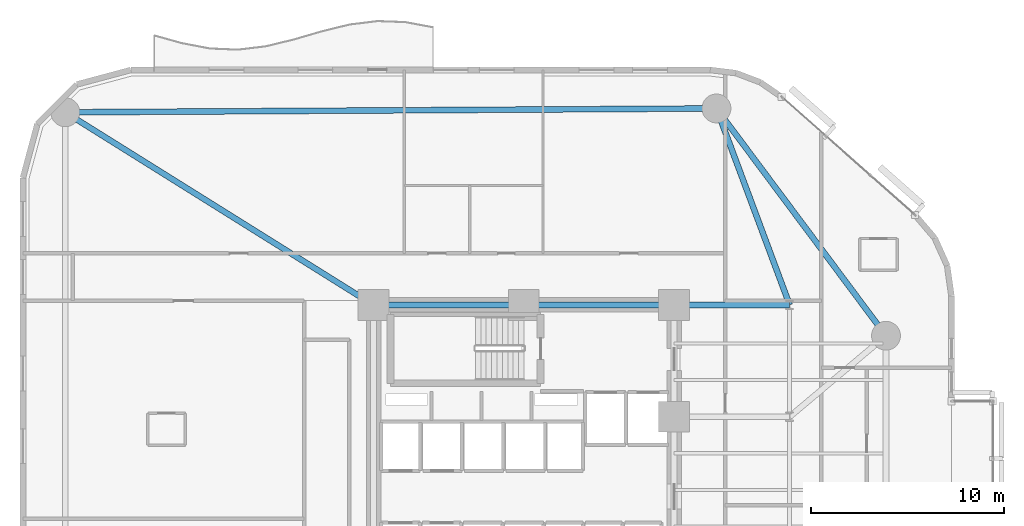
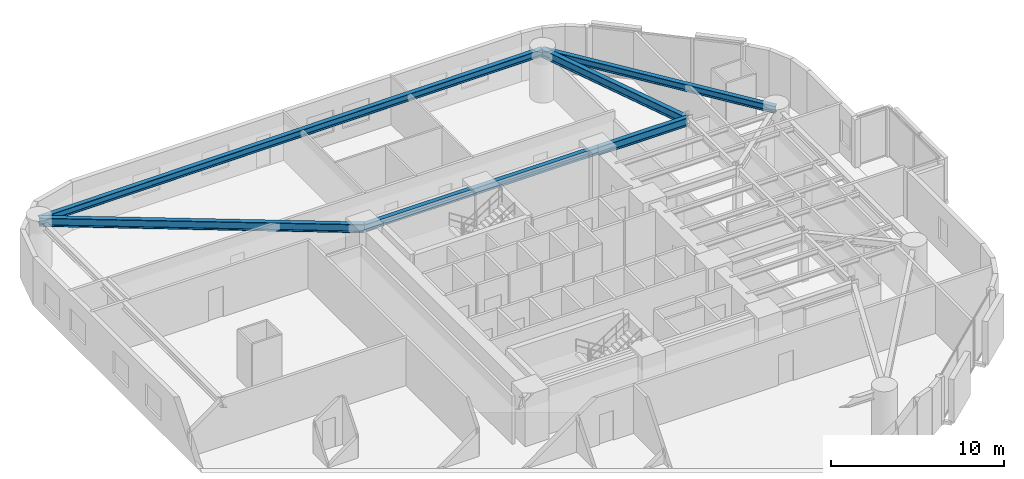
# One storey, part 7 of 16: 6 beams.
"""IFC4 building model written with IfcOpenShell, lengths in metres."""

from ifc_helpers import new_model, si_unit, direction, frame, origin, origin_2d, place, context, subcontext, project, spatial, i_section, extrude, material, material_profile, profile_set, type_object, element, save


model = new_model("IFC4")

# Units and contexts
model_context = context("Model", 3, precision=1e-05, world=origin(), true_north=direction((0.0, 1.0)))
body_context = subcontext(model_context, "Body", "Model", "MODEL_VIEW")
ifc_project = project(units=[si_unit("LENGTHUNIT", "METRE"), si_unit("AREAUNIT", "SQUARE_METRE"), si_unit("VOLUMEUNIT", "CUBIC_METRE"), si_unit("PLANEANGLEUNIT", "RADIAN"), si_unit("MASSUNIT", "GRAM", prefix="KILO")], contexts=[model_context])

# Site, building, storey
site_placement = place(None, origin())
site = spatial("IfcSite", under=ifc_project, at=site_placement, CompositionType="ELEMENT")
building_placement = place(site_placement, origin())
building = spatial("IfcBuilding", under=site, at=building_placement, Name="An Khanh Terracotta Commons", CompositionType="ELEMENT")
storey_placement = place(building_placement, frame((0.0, 0.0, 68.39990234375)))
storey = spatial("IfcBuildingStorey", under=building, at=storey_placement, Name="L18", CompositionType="ELEMENT", Elevation=68.39990234375)

# Beams
ifc_material = material(Name="Steel S355J2", Category="steel")
ifc_material_profile_1 = material_profile(ifc_material, i_section(OverallWidth=0.300048828125, OverallDepth=0.5, WebThickness=0.014404296875, FlangeThickness=0.028076171875, FilletRadius=0.027099609375, at=origin_2d()), Name="HEB500")
ifc_profile_set_1 = profile_set([ifc_material_profile_1], Name="Steel S355J2")
beam_type_1 = type_object("IfcBeamType", Name="BM-HEB500", PredefinedType="BEAM", material=ifc_profile_set_1)
beam_1_placement = place(storey_placement, frame((21.60009765625, 33.60009765625, 3.150146484375), z_axis=(1.0, 0.0, 0.0), x_axis=(0.0, 1.0, 0.0)))
element("IfcBeam", 1, at=beam_1_placement, inside=storey, type_object=beam_type_1, Name="L18 Core North Coupling Girder", PredefinedType="BEAM", context=body_context, shape_type="SweptSolid", body=[
    extrude(i_section(OverallWidth=0.300048828125, OverallDepth=0.5, WebThickness=0.014404296875, FlangeThickness=0.028076171875, FilletRadius=0.027099609375, at=origin_2d()), origin(), (0.0, 0.0, 1.0), 15.599853515625),
])
beam_2_placement = place(storey_placement, frame((48.199951171875, 32.0, 3.150146484375), z_axis=(-0.59782442166, 0.801627070942, 0.0), x_axis=(-0.801627070942, -0.59782442166, 0.0)))
element("IfcBeam", 2, at=beam_2_placement, inside=storey, type_object=beam_type_1, Name="L18 Perimeter Ring Spandrel 4", PredefinedType="BEAM", context=body_context, shape_type="SweptSolid", body=[
    extrude(i_section(OverallWidth=0.300048828125, OverallDepth=0.5, WebThickness=0.014404296875, FlangeThickness=0.028076171875, FilletRadius=0.027099609375, at=origin_2d()), origin(), (0.0, 0.0, 1.0), 14.72021484375),
])
beam_3_placement = place(storey_placement, frame((39.39990234375, 43.800048828125, 3.150146484375), z_axis=(-0.999982502414, -0.005915645817, 0.0), x_axis=(0.005915645817, -0.999982502414, 0.0)))
element("IfcBeam", 3, at=beam_3_placement, inside=storey, type_object=beam_type_1, Name="L18 Perimeter Ring Spandrel 5", PredefinedType="BEAM", context=body_context, shape_type="SweptSolid", body=[
    extrude(i_section(OverallWidth=0.300048828125, OverallDepth=0.5, WebThickness=0.014404296875, FlangeThickness=0.028076171875, FilletRadius=0.027099609375, at=origin_2d()), origin(), (0.0, 0.0, 1.0), 33.80029296875),
])
ifc_material_profile_2 = material_profile(ifc_material, i_section(OverallWidth=0.300048828125, OverallDepth=0.60009765625, WebThickness=0.015380859375, FlangeThickness=0.030029296875, FilletRadius=0.027099609375, at=origin_2d()), Name="HEB600")
ifc_profile_set_2 = profile_set([ifc_material_profile_2], Name="Steel S355J2")
beam_type_2 = type_object("IfcBeamType", Name="BM-HEB600", PredefinedType="BEAM", material=ifc_profile_set_2)
beam_4_placement = place(storey_placement, frame((37.199951171875, 33.60009765625, 3.10009765625), z_axis=(1.0, 0.0, 0.0), x_axis=(0.0, 1.0, 0.0)))
element("IfcBeam", 4, at=beam_4_placement, inside=storey, type_object=beam_type_2, Name="L18 East Primary Floor Girder 4", PredefinedType="BEAM", context=body_context, shape_type="SweptSolid", body=[
    extrude(i_section(OverallWidth=0.300048828125, OverallDepth=0.60009765625, WebThickness=0.015380859375, FlangeThickness=0.030029296875, FilletRadius=0.027099609375, at=origin_2d()), origin(), (0.0, 0.0, 1.0), 6.0),
])
beam_5_placement = place(storey_placement, frame((39.39990234375, 43.800048828125, 3.10009765625), z_axis=(0.349114429862, -0.937080100558, 0.0), x_axis=(0.937080100558, 0.349114429862, 0.0)))
element("IfcBeam", 5, at=beam_5_placement, inside=storey, type_object=beam_type_2, Name="L18 Mega-Column Tie Girder 5", PredefinedType="BEAM", context=body_context, shape_type="SweptSolid", body=[
    extrude(i_section(OverallWidth=0.300048828125, OverallDepth=0.60009765625, WebThickness=0.015380859375, FlangeThickness=0.030029296875, FilletRadius=0.027099609375, at=origin_2d()), origin(), (0.0, 0.0, 1.0), 10.884765625),
])
beam_6_placement = place(storey_placement, frame((5.60009765625, 43.60009765625, 3.10009765625), z_axis=(0.847998304005, -0.529998940003, 0.0), x_axis=(0.529998940003, 0.847998304005, 0.0)))
element("IfcBeam", 6, at=beam_6_placement, inside=storey, type_object=beam_type_2, Name="L18 Mega-Column Tie Girder 6", PredefinedType="BEAM", context=body_context, shape_type="SweptSolid", body=[
    extrude(i_section(OverallWidth=0.300048828125, OverallDepth=0.60009765625, WebThickness=0.015380859375, FlangeThickness=0.030029296875, FilletRadius=0.027099609375, at=origin_2d()), origin(), (0.0, 0.0, 1.0), 18.867919921875),
])

save(model, "model.ifc")
